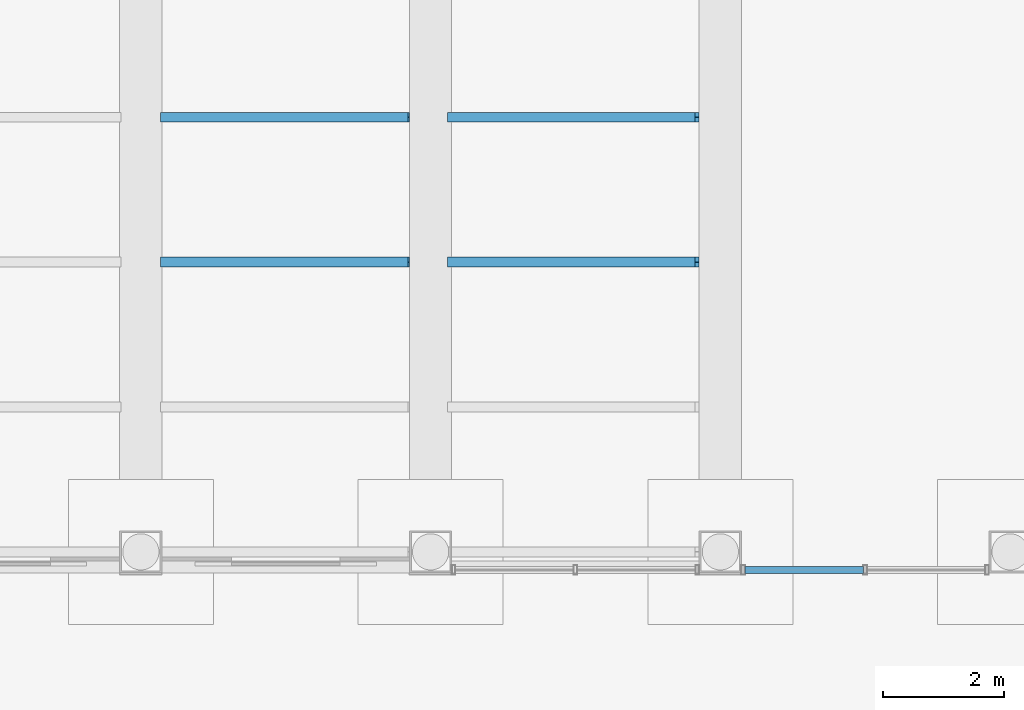
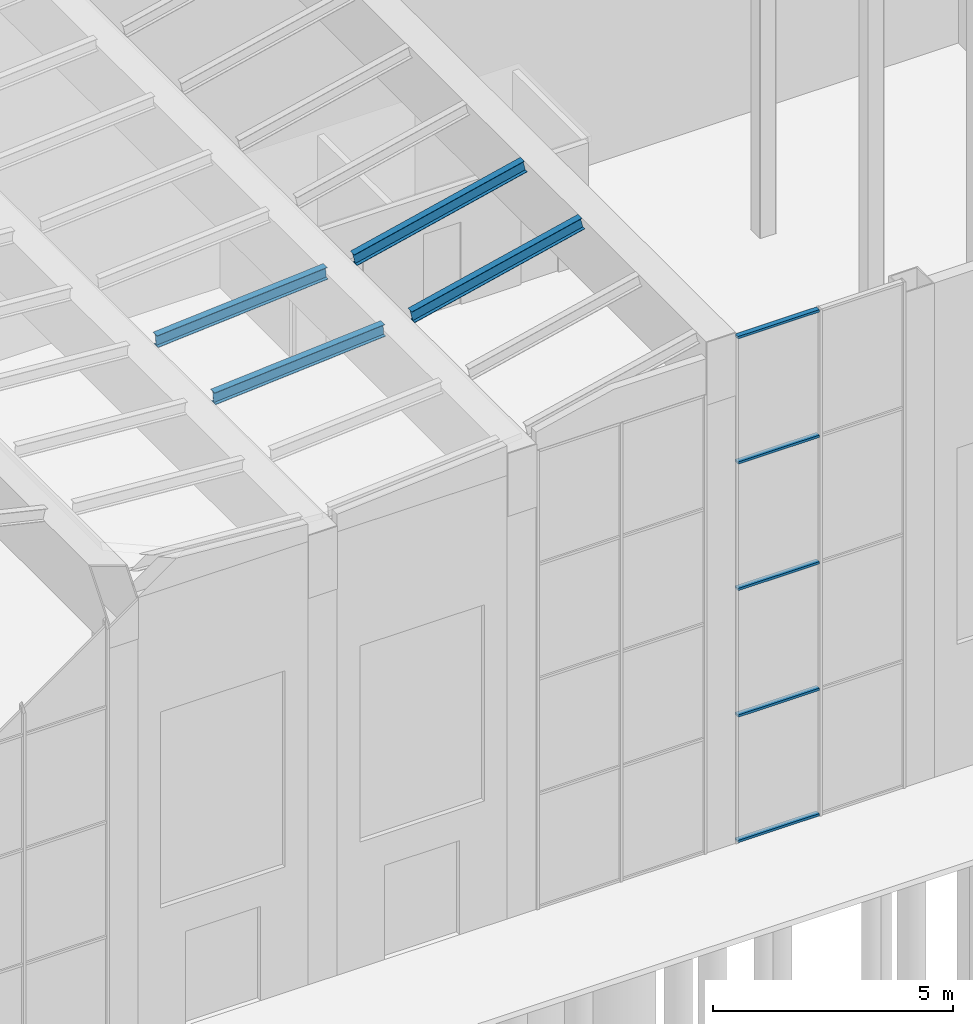
# One storey, part 25 of 58: 5 members, 4 beams, 1 element without a shape of its own.
"""IFC4 building model written with IfcOpenShell, lengths in metres."""

from ifc_helpers import new_model, si_unit, direction, frame, origin, origin_2d, place, context, subcontext, project, spatial, hollow_rectangle, i_section, extrude, material, layer, layer_set, material_profile, profile_set, type_object, element, aggregate, save


model = new_model("IFC4")

# Units and contexts
model_context = context("Model", 3, precision=1e-05, world=origin(), true_north=direction((0.0, 1.0)))
body_context = subcontext(model_context, "Body", "Model", "MODEL_VIEW")
ifc_project = project(units=[si_unit("LENGTHUNIT", "METRE"), si_unit("AREAUNIT", "SQUARE_METRE"), si_unit("VOLUMEUNIT", "CUBIC_METRE"), si_unit("PLANEANGLEUNIT", "RADIAN"), si_unit("MASSUNIT", "GRAM", prefix="KILO")], contexts=[model_context])

# Site, building, storey
site_placement = place(None, origin())
site = spatial("IfcSite", under=ifc_project, at=site_placement, CompositionType="ELEMENT")
building_placement = place(site_placement, origin())
building = spatial("IfcBuilding", under=site, at=building_placement, Name="Baori Bourse Tower", CompositionType="ELEMENT")
storey_placement = place(building_placement, origin())
storey = spatial("IfcBuildingStorey", under=building, at=storey_placement, Name="L00", CompositionType="ELEMENT", Elevation=0.0)

# Beams
ifc_material_1 = material(Name="Steel A992 Gr 50", Category="steel")
ifc_material_profile_1 = material_profile(ifc_material_1, i_section(OverallWidth=0.164794921875, OverallDepth=0.309814453125, WebThickness=0.005859375, FlangeThickness=0.009765625, at=origin_2d()), Name="W12x26")
ifc_profile_set_1 = profile_set([ifc_material_profile_1], Name="Steel A992 Gr 50")
beam_type = type_object("IfcBeamType", Name="Wing beam W12x26", PredefinedType="BEAM", material=ifc_profile_set_1)
for number, where, z_axis, x_axis, name in (
    (1, (29.13818359375, -20.050048828125, 11.619873046875), (0.997134957762, 0.0, 0.075643083017), (0.0, 1.0, 0.0), "wing/L00/purlin/023"),
    (2, (29.13818359375, -17.64990234375, 11.619873046875), (0.997134957762, 0.0, 0.075643083017), (0.0, 1.0, 0.0), "wing/L00/purlin/024"),
):
    element("IfcBeam", number, at=place(storey_placement, frame(where, z_axis=z_axis, x_axis=x_axis)), inside=storey, type_object=beam_type, Name=name, PredefinedType="BEAM", context=body_context, shape_type="SweptSolid", body=[
        extrude(i_section(OverallWidth=0.164794921875, OverallDepth=0.309814453125, WebThickness=0.005859375, FlangeThickness=0.009765625, at=origin_2d()), origin(), (0.0, 0.0, 1.0), 4.11181640625),
    ])
for number, where, z_axis, x_axis, name in (
    (3, (33.914794921875, -20.050048828125, 12.0244140625), (0.973887386233, 0.0, 0.227031625408), (0.0, 1.0, 0.0), "wing/L00/purlin/033"),
    (4, (33.914794921875, -17.64990234375, 12.0244140625), (0.973887386233, 0.0, 0.227031625408), (0.0, 1.0, 0.0), "wing/L00/purlin/034"),
):
    element("IfcBeam", number, at=place(storey_placement, frame(where, z_axis=z_axis, x_axis=x_axis)), inside=storey, type_object=beam_type, Name=name, PredefinedType="BEAM", context=body_context, shape_type="SweptSolid", body=[
        extrude(i_section(OverallWidth=0.164794921875, OverallDepth=0.309814453125, WebThickness=0.005859375, FlangeThickness=0.009765625, at=origin_2d()), origin(), (0.0, 0.0, 1.0), 4.2099609375),
    ])

# Curtain wall, members
ifc_material_2 = material(Name="Pale anodised aluminium", Category="aluminium")
ifc_layer = layer(ifc_material_2, 0.10009765625)
ifc_layer_set = layer_set([ifc_layer], Name="Wing curtain wall")
curtain_wall_type = type_object("IfcCurtainWallType", Name="Wing curtain wall", PredefinedType="NOTDEFINED", material=ifc_layer_set)
curtain_wall_placement = place(storey_placement, origin())
curtain_wall = element("IfcCurtainWall", 5, at=curtain_wall_placement, inside=storey, type_object=curtain_wall_type, Name="wing/L00/hallcw/006", PredefinedType="NOTDEFINED")
ifc_material_3 = material(Name="Pale anodised aluminium", Category="aluminium")
ifc_material_profile_2 = material_profile(ifc_material_3, hollow_rectangle(XDim=0.1201171875, YDim=0.06005859375, WallThickness=0.0048828125, at=origin_2d()), Name="Transom 120x60x5")
ifc_profile_set_2 = profile_set([ifc_material_profile_2], Name="Pale anodised aluminium")
member_type = type_object("IfcMemberType", Name="Wing transom 120x60", PredefinedType="USERDEFINED", material=ifc_profile_set_2)
member_1_placement = place(storey_placement, frame((38.81005859375, -25.14990234375, 0.030029296875), z_axis=(1.0, 0.0, 0.0), x_axis=(0.0, 1.0, 0.0)))
member_1 = element("IfcMember", 6, at=member_1_placement, type_object=member_type, Name="X12 transom 1.1", ObjectType="TRANSOM", PredefinedType="USERDEFINED", context=body_context, shape_type="SweptSolid", body=[
    extrude(hollow_rectangle(XDim=0.1201171875, YDim=0.06005859375, WallThickness=0.0048828125, at=origin_2d()), origin(), (0.0, 0.0, 1.0), 1.9599609375),
])
member_2_placement = place(storey_placement, frame((38.81005859375, -25.14990234375, 3.22509765625), z_axis=(1.0, 0.0, 0.0), x_axis=(0.0, 1.0, 0.0)))
member_2 = element("IfcMember", 7, at=member_2_placement, type_object=member_type, Name="X12 transom 1.2", ObjectType="TRANSOM", PredefinedType="USERDEFINED", context=body_context, shape_type="SweptSolid", body=[
    extrude(hollow_rectangle(XDim=0.1201171875, YDim=0.06005859375, WallThickness=0.0048828125, at=origin_2d()), origin(), (0.0, 0.0, 1.0), 1.9599609375),
])
member_3_placement = place(storey_placement, frame((38.81005859375, -25.14990234375, 6.449951171875), z_axis=(1.0, 0.0, 0.0), x_axis=(0.0, 1.0, 0.0)))
member_3 = element("IfcMember", 8, at=member_3_placement, type_object=member_type, Name="X12 transom 1.3", ObjectType="TRANSOM", PredefinedType="USERDEFINED", context=body_context, shape_type="SweptSolid", body=[
    extrude(hollow_rectangle(XDim=0.1201171875, YDim=0.06005859375, WallThickness=0.0048828125, at=origin_2d()), origin(), (0.0, 0.0, 1.0), 1.9599609375),
])
member_4_placement = place(storey_placement, frame((38.81005859375, -25.14990234375, 9.675048828125), z_axis=(1.0, 0.0, 0.0), x_axis=(0.0, 1.0, 0.0)))
member_4 = element("IfcMember", 9, at=member_4_placement, type_object=member_type, Name="X12 transom 1.4", ObjectType="TRANSOM", PredefinedType="USERDEFINED", context=body_context, shape_type="SweptSolid", body=[
    extrude(hollow_rectangle(XDim=0.1201171875, YDim=0.06005859375, WallThickness=0.0048828125, at=origin_2d()), origin(), (0.0, 0.0, 1.0), 1.9599609375),
])
member_5_placement = place(storey_placement, frame((38.81005859375, -25.14990234375, 12.8701171875), z_axis=(1.0, 0.0, 0.0), x_axis=(0.0, 1.0, 0.0)))
member_5 = element("IfcMember", 10, at=member_5_placement, type_object=member_type, Name="X12 transom 1.5", ObjectType="TRANSOM", PredefinedType="USERDEFINED", context=body_context, shape_type="SweptSolid", body=[
    extrude(hollow_rectangle(XDim=0.1201171875, YDim=0.06005859375, WallThickness=0.0048828125, at=origin_2d()), origin(), (0.0, 0.0, 1.0), 1.9599609375),
])
aggregate(curtain_wall, [member_1, member_2, member_3, member_4, member_5])

save(model, "model.ifc")
